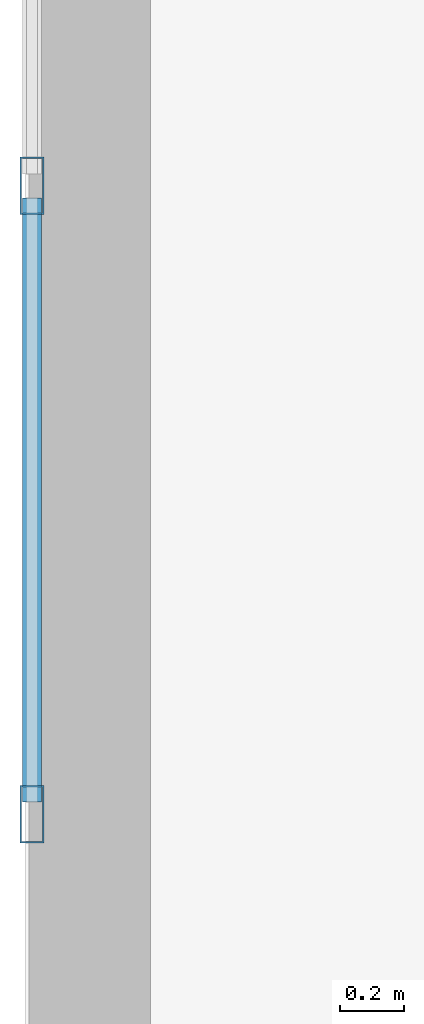
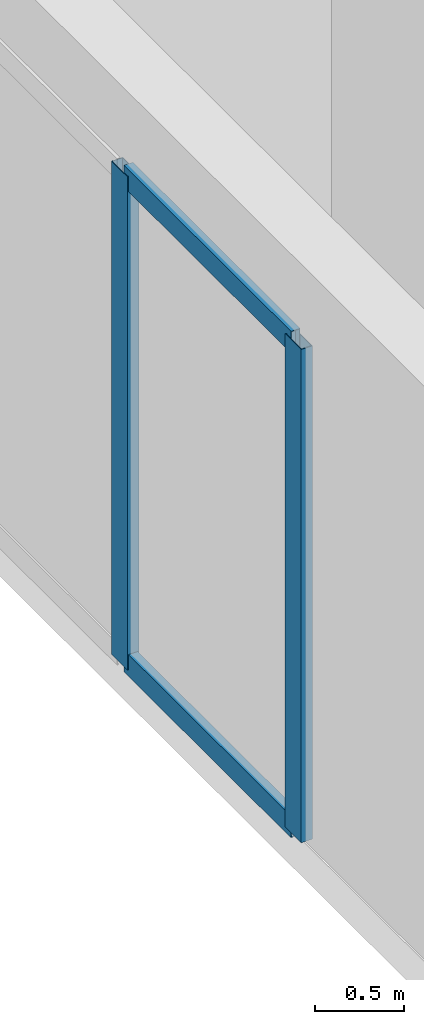
# One storey, part 4 of 14: 4 members, 1 element without a shape of its own.
"""IFC4 building model written with IfcOpenShell, lengths in metres."""

from ifc_helpers import new_model, si_unit, direction, frame, origin, origin_2d, place, context, subcontext, project, spatial, hollow_rectangle, extrude, material, material_profile, profile_set, type_object, element, aggregate, save


model = new_model("IFC4")

# Units and contexts
model_context = context("Model", 3, precision=1e-05, world=origin(), true_north=direction((0.0, 1.0)))
body_context = subcontext(model_context, "Body", "Model", "MODEL_VIEW")
ifc_project = project(units=[si_unit("LENGTHUNIT", "METRE"), si_unit("AREAUNIT", "SQUARE_METRE"), si_unit("VOLUMEUNIT", "CUBIC_METRE"), si_unit("PLANEANGLEUNIT", "RADIAN"), si_unit("MASSUNIT", "GRAM", prefix="KILO")], contexts=[model_context])

# Site, building, storey
site_placement = place(None, origin())
site = spatial("IfcSite", under=ifc_project, at=site_placement, CompositionType="ELEMENT")
building_placement = place(site_placement, origin())
building = spatial("IfcBuilding", under=site, at=building_placement, Name="Kuzgunbayir Cultural Tower", CompositionType="ELEMENT")
storey_placement = place(building_placement, frame((0.0, 0.0, 8.800048828125)))
storey = spatial("IfcBuildingStorey", under=building, at=storey_placement, Name="L02", CompositionType="ELEMENT", Elevation=8.800048828125)

# Curtain wall, members
ifc_material = material(Name="Anodised Aluminium Framing", Category="aluminium")
curtain_wall_type = type_object("IfcCurtainWallType", Name="CW01-POD-FOYER", PredefinedType="NOTDEFINED", material=ifc_material)
curtain_wall_placement = place(storey_placement, origin())
curtain_wall = element("IfcCurtainWall", 1, at=curtain_wall_placement, inside=storey, type_object=curtain_wall_type, Name="L02 Civic Foyer Curtain Wall North", PredefinedType="NOTDEFINED")
ifc_material_profile_1 = material_profile(ifc_material, hollow_rectangle(XDim=0.074951171875, YDim=0.179931640625, WallThickness=0.0048828125, at=origin_2d()), Name="RHS 180x75x5")
ifc_profile_set_1 = profile_set([ifc_material_profile_1], Name="Anodised Aluminium Framing")
member_type_1 = type_object("IfcMemberType", Name="MEM-CW-MULLION-180", PredefinedType="MULLION", material=ifc_profile_set_1)
member_1_placement = place(storey_placement, frame((3.6201171875, 24.03759765625, 0.0), z_axis=(0.0, 0.0, 1.0), x_axis=(-1.0, 0.0, 0.0)))
member_1 = element("IfcMember", 2, at=member_1_placement, type_object=member_type_1, Name="CW01 mullion 1", PredefinedType="MULLION", context=body_context, shape_type="SweptSolid", body=[
    extrude(hollow_rectangle(XDim=0.074951171875, YDim=0.179931640625, WallThickness=0.0048828125, at=origin_2d()), origin(), (0.0, 0.0, 1.0), 3.39990234375),
])
member_2_placement = place(storey_placement, frame((3.6201171875, 26.0, 0.0), z_axis=(0.0, 0.0, 1.0), x_axis=(-1.0, 0.0, 0.0)))
member_2 = element("IfcMember", 3, at=member_2_placement, type_object=member_type_1, Name="CW01 mullion 2", PredefinedType="MULLION", context=body_context, shape_type="SweptSolid", body=[
    extrude(hollow_rectangle(XDim=0.074951171875, YDim=0.179931640625, WallThickness=0.0048828125, at=origin_2d()), origin(), (0.0, 0.0, 1.0), 3.39990234375),
])
ifc_material_profile_2 = material_profile(ifc_material, hollow_rectangle(XDim=0.06005859375, YDim=0.14990234375, WallThickness=0.00390625, at=origin_2d()), Name="RHS 150x60x4")
ifc_profile_set_2 = profile_set([ifc_material_profile_2], Name="Anodised Aluminium Framing")
member_type_2 = type_object("IfcMemberType", Name="MEM-CW-TRANSOM-150", PredefinedType="USERDEFINED", material=ifc_profile_set_2)
member_3_placement = place(storey_placement, frame((3.6201171875, 24.074951171875, 0.030029296875), z_axis=(0.0, 1.0, 0.0), x_axis=(-1.0, 0.0, 0.0)))
member_3 = element("IfcMember", 4, at=member_3_placement, type_object=member_type_2, Name="CW01 transom 1.1", ObjectType="TRANSOM", PredefinedType="USERDEFINED", context=body_context, shape_type="SweptSolid", body=[
    extrude(hollow_rectangle(XDim=0.06005859375, YDim=0.14990234375, WallThickness=0.00390625, at=origin_2d()), origin(), (0.0, 0.0, 1.0), 1.887451171875),
])
member_4_placement = place(storey_placement, frame((3.6201171875, 24.074951171875, 3.369873046875), z_axis=(0.0, 1.0, 0.0), x_axis=(-1.0, 0.0, 0.0)))
member_4 = element("IfcMember", 5, at=member_4_placement, type_object=member_type_2, Name="CW01 transom 1.2", ObjectType="TRANSOM", PredefinedType="USERDEFINED", context=body_context, shape_type="SweptSolid", body=[
    extrude(hollow_rectangle(XDim=0.06005859375, YDim=0.14990234375, WallThickness=0.00390625, at=origin_2d()), origin(), (0.0, 0.0, 1.0), 1.887451171875),
])
aggregate(curtain_wall, [member_1, member_2, member_3, member_4])

save(model, "model.ifc")
